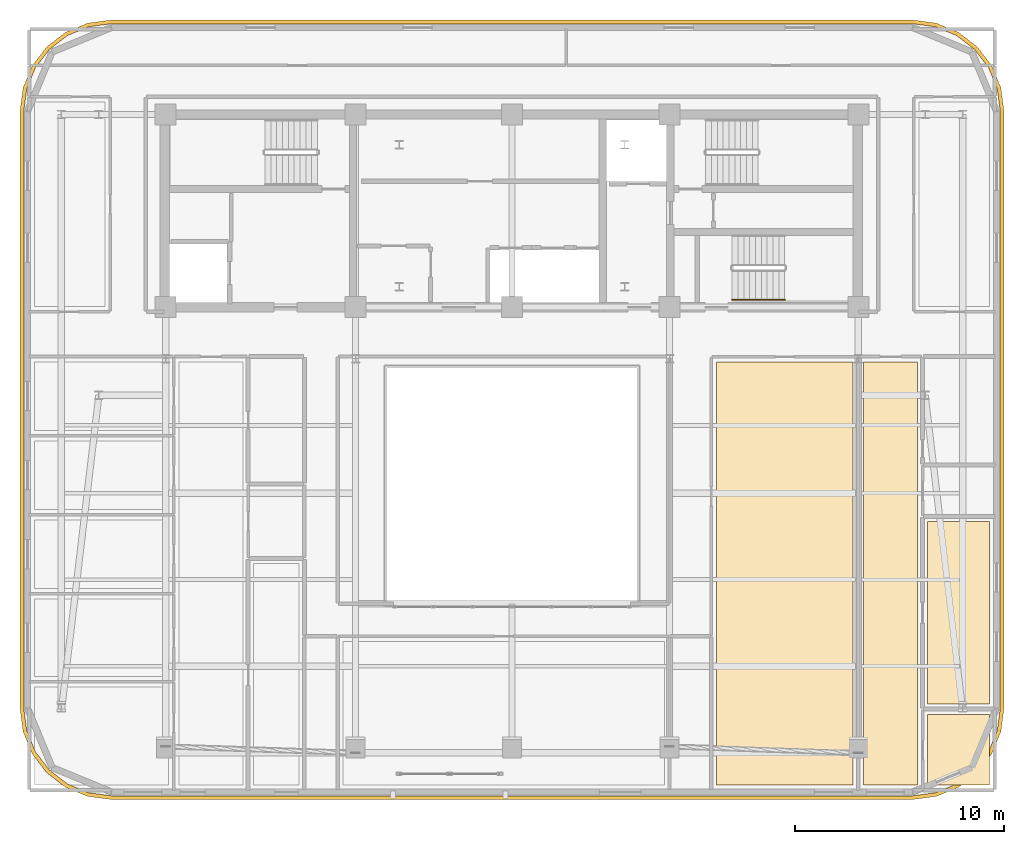
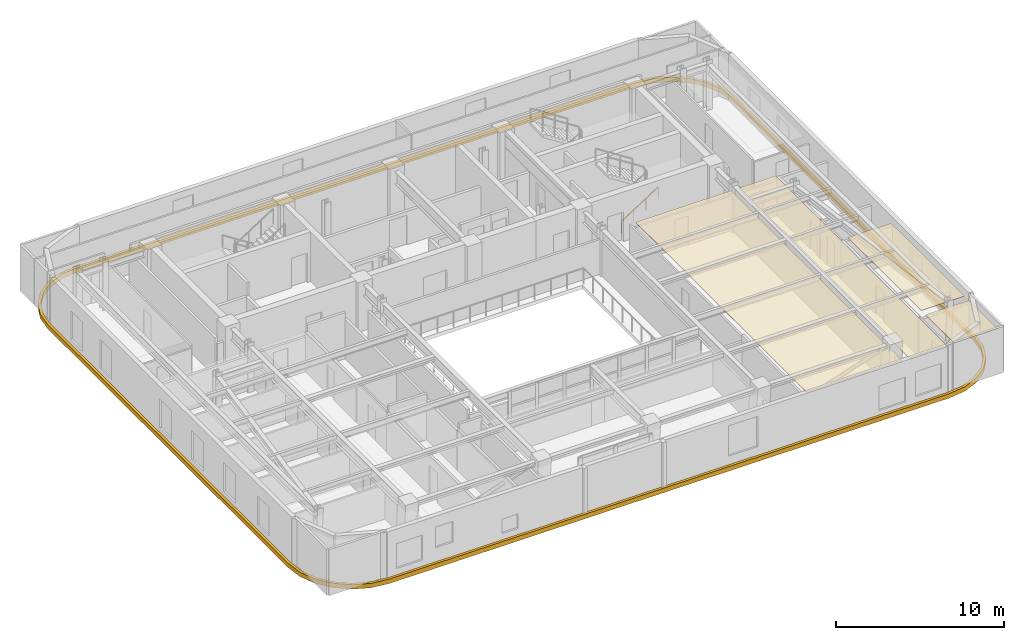
# One storey, part 13 of 14: 5 coverings, 1 railing.
"""IFC4 building model written with IfcOpenShell, lengths in metres."""

from ifc_helpers import new_model, si_unit, direction, frame, origin, origin_2d, place, context, subcontext, project, spatial, polyline, rectangle, outline, extrude, material, layer, layer_set, type_object, element, save


model = new_model("IFC4")

# Units and contexts
model_context = context("Model", 3, precision=1e-05, world=origin(), true_north=direction((0.0, 1.0)))
body_context = subcontext(model_context, "Body", "Model", "MODEL_VIEW")
ifc_project = project(units=[si_unit("LENGTHUNIT", "METRE"), si_unit("AREAUNIT", "SQUARE_METRE"), si_unit("VOLUMEUNIT", "CUBIC_METRE"), si_unit("PLANEANGLEUNIT", "RADIAN"), si_unit("MASSUNIT", "GRAM", prefix="KILO")], contexts=[model_context])

# Site, building, storey
site_placement = place(None, origin())
site = spatial("IfcSite", under=ifc_project, at=site_placement, CompositionType="ELEMENT")
building_placement = place(site_placement, origin())
building = spatial("IfcBuilding", under=site, at=building_placement, Name="Zarnavel Station Tower", CompositionType="ELEMENT")
storey_placement = place(building_placement, frame((0.0, 0.0, 214.800048828125)))
storey = spatial("IfcBuildingStorey", under=building, at=storey_placement, Name="L58", CompositionType="ELEMENT", Elevation=214.800048828125)

# Coverings
ifc_material_1 = material(Name="Perforated Gypsum and Mineral-Wool Acoustic Ceiling", Category="concrete")
ifc_layer = layer(ifc_material_1, 0.0400390625)
ifc_layer_set = layer_set([ifc_layer], Name="COV_CEIL_ACOUSTIC")
covering_type_1 = type_object("IfcCoveringType", Name="COV_CEIL_ACOUSTIC", PredefinedType="CEILING", material=ifc_layer_set)
covering_1_placement = place(storey_placement, frame((0.0, 0.0, 3.02001953125)))
element("IfcCovering", 1, at=covering_1_placement, inside=storey, type_object=covering_type_1, Name="L58 L57FIT Acoustic Ceiling", PredefinedType="CEILING", context=body_context, shape_type="SweptSolid", body=[
    extrude(outline(polyline([(38.60009765625, 4.909912109375), (45.14990234375, 4.909912109375), (45.14990234375, 25.199951171875), (38.60009765625, 25.199951171875), (38.60009765625, 4.909912109375)])), origin(), (0.0, 0.0, 1.0), 0.0400390625),
])
covering_2_placement = place(storey_placement, frame((0.0, 0.0, 3.02001953125)))
element("IfcCovering", 2, at=covering_2_placement, inside=storey, type_object=covering_type_1, Name="L58 UE1LV Acoustic Ceiling", PredefinedType="CEILING", context=body_context, shape_type="SweptSolid", body=[
    extrude(outline(polyline([(45.64990234375, 4.909912109375), (48.22412109375, 4.909912109375), (48.22412109375, 25.199951171875), (45.64990234375, 25.199951171875), (45.64990234375, 4.909912109375)])), origin(), (0.0, 0.0, 1.0), 0.0400390625),
])
covering_3_placement = place(storey_placement, frame((0.0, 0.0, 3.02001953125)))
element("IfcCovering", 3, at=covering_3_placement, inside=storey, type_object=covering_type_1, Name="L58 UE1B1 Acoustic Ceiling", PredefinedType="CEILING", context=body_context, shape_type="SweptSolid", body=[
    extrude(outline(polyline([(48.72412109375, 4.909912109375), (51.68994140625, 4.909912109375), (51.68994140625, 8.304931640625), (48.72412109375, 8.304931640625), (48.72412109375, 4.909912109375)])), origin(), (0.0, 0.0, 1.0), 0.0400390625),
])
covering_4_placement = place(storey_placement, frame((0.0, 0.0, 3.02001953125)))
element("IfcCovering", 4, at=covering_4_placement, inside=storey, type_object=covering_type_1, Name="L58 UE1KT Acoustic Ceiling", PredefinedType="CEILING", context=body_context, shape_type="SweptSolid", body=[
    extrude(outline(polyline([(48.72412109375, 8.804931640625), (51.68994140625, 8.804931640625), (51.68994140625, 17.5380859375), (48.72412109375, 17.5380859375), (48.72412109375, 8.804931640625)])), origin(), (0.0, 0.0, 1.0), 0.0400390625),
])
ifc_material_2 = material(Name="Precast concrete C45/55 (Pale Travertine Slab Band)", Category="masonry")
covering_type_2 = type_object("IfcCoveringType", Name="COV_TRAVERTINE_BAND", PredefinedType="CLADDING", material=ifc_material_2)
covering_5_placement = place(storey_placement, frame((0.0, 0.0, -0.260009765625)))
element("IfcCovering", 5, at=covering_5_placement, inside=storey, type_object=covering_type_2, Name="L58 Pale Travertine Slab-Edge Band", PredefinedType="CLADDING", context=body_context, shape_type="SweptSolid", body=[
    extrude(outline(polyline([(48.0, 4.219970703125), (49.133544921875, 4.369140625), (50.18994140625, 4.806884765625), (51.09716796875, 5.5029296875), (51.793212890625, 6.409912109375), (52.230712890625, 7.46630859375), (52.3798828125, 8.60009765625), (52.3798828125, 37.199951171875), (52.230712890625, 38.33349609375), (51.793212890625, 39.389892578125), (51.09716796875, 40.297119140625), (50.18994140625, 40.9931640625), (49.133544921875, 41.430908203125), (48.0, 41.580078125), (9.60009765625, 41.580078125), (8.46630859375, 41.430908203125), (7.409912109375, 40.9931640625), (6.5029296875, 40.297119140625), (5.806884765625, 39.389892578125), (5.369140625, 38.33349609375), (5.219970703125, 37.199951171875), (5.219970703125, 8.60009765625), (5.369140625, 7.46630859375), (5.806884765625, 6.409912109375), (6.5029296875, 5.5029296875), (7.409912109375, 4.806884765625), (8.46630859375, 4.369140625), (9.60009765625, 4.219970703125), (48.0, 4.219970703125)]), holes=[polyline([(48.0, 4.39990234375), (49.0869140625, 4.543212890625), (50.10009765625, 4.962646484375), (50.9697265625, 5.630126953125), (51.63720703125, 6.5), (52.056884765625, 7.512939453125), (52.199951171875, 8.60009765625), (52.199951171875, 37.199951171875), (52.056884765625, 38.287109375), (51.63720703125, 39.300048828125), (50.9697265625, 40.169921875), (50.10009765625, 40.83740234375), (49.0869140625, 41.2568359375), (48.0, 41.39990234375), (9.60009765625, 41.39990234375), (8.512939453125, 41.2568359375), (7.5, 40.83740234375), (6.630126953125, 40.169921875), (5.962646484375, 39.300048828125), (5.543212890625, 38.287109375), (5.39990234375, 37.199951171875), (5.39990234375, 8.60009765625), (5.543212890625, 7.512939453125), (5.962646484375, 6.5), (6.630126953125, 5.630126953125), (7.5, 4.962646484375), (8.512939453125, 4.543212890625), (9.60009765625, 4.39990234375), (48.0, 4.39990234375)])]), origin(), (0.0, 0.0, 1.0), 0.320068359375),
])

# Railing
ifc_material_3 = material(Name="Brushed Stainless Steel S355J2 Handrail", Category="steel")
railing_type = type_object("IfcRailingType", Name="HR_STAIR_900", PredefinedType="HANDRAIL", material=ifc_material_3)
railing_placement = place(storey_placement, frame((39.35009765625, 28.169921875, 0.179931640625)))
element("IfcRailing", 6, at=railing_placement, inside=storey, type_object=railing_type, Name="L58 ST3 stair handrail 1", PredefinedType="HANDRAIL", context=body_context, shape_type="SweptSolid", body=[
    extrude(rectangle(XDim=0.048095703125, YDim=0.048095703125, at=origin_2d()), frame((0.001708984375, 0.0, 0.876953125), z_axis=(0.841162588446, 0.0, 0.540782303519), x_axis=(0.0, 1.0, 0.0)), (0.0, 0.0, 1.0), 2.991943359375),
    extrude(rectangle(XDim=0.0419921875, YDim=0.0419921875, at=origin_2d()), origin(), (0.0, 0.0, 1.0), 0.851806640625),
    extrude(rectangle(XDim=0.0419921875, YDim=0.0419921875, at=origin_2d()), frame((0.840087890625, 0.0, 0.5400390625)), (0.0, 0.0, 1.0), 0.851806640625),
    extrude(rectangle(XDim=0.0419921875, YDim=0.0419921875, at=origin_2d()), frame((1.679931640625, 0.0, 1.080078125)), (0.0, 0.0, 1.0), 0.851806640625),
    extrude(rectangle(XDim=0.0419921875, YDim=0.0419921875, at=origin_2d()), frame((2.52001953125, 0.0, 1.6201171875)), (0.0, 0.0, 1.0), 0.851806640625),
])

save(model, "model.ifc")
